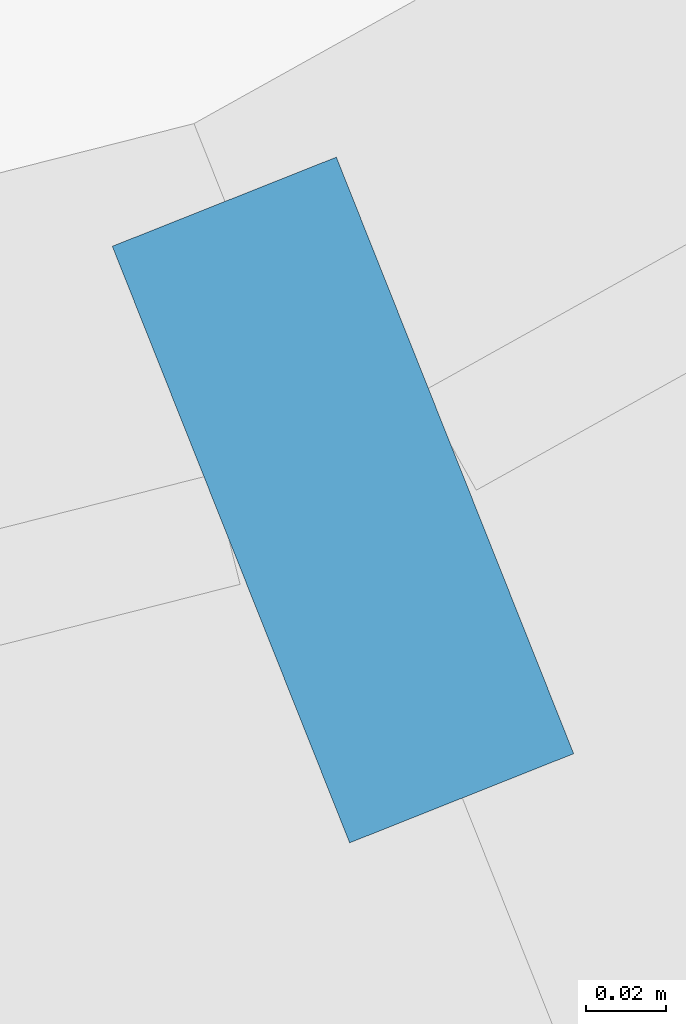
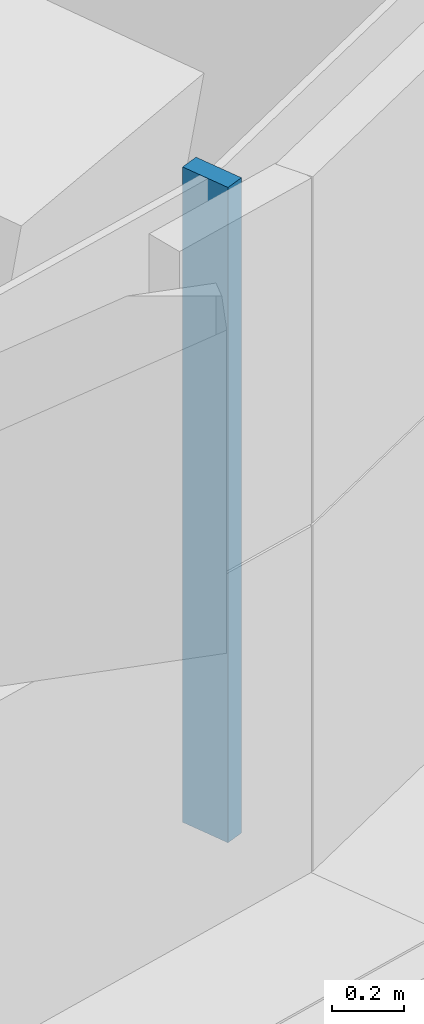
# One storey, part 2 of 34: 1 member, 1 element without a shape of its own.
"""IFC4 building model written with IfcOpenShell, lengths in metres."""

from ifc_helpers import new_model, si_unit, direction, frame, origin, origin_2d, place, context, subcontext, project, spatial, rectangle, extrude, material, layer, layer_set, material_profile, profile_set, type_object, element, aggregate, save


model = new_model("IFC4")

# Units and contexts
model_context = context("Model", 3, precision=1e-05, world=origin(), true_north=direction((0.0, 1.0)))
body_context = subcontext(model_context, "Body", "Model", "MODEL_VIEW")
ifc_project = project(units=[si_unit("LENGTHUNIT", "METRE"), si_unit("AREAUNIT", "SQUARE_METRE"), si_unit("VOLUMEUNIT", "CUBIC_METRE"), si_unit("PLANEANGLEUNIT", "RADIAN"), si_unit("MASSUNIT", "GRAM", prefix="KILO")], contexts=[model_context])

# Site, building, storey
site_placement = place(None, origin())
site = spatial("IfcSite", under=ifc_project, at=site_placement, CompositionType="ELEMENT")
building_placement = place(site_placement, origin())
building = spatial("IfcBuilding", under=site, at=building_placement, Name="Tamarind Cross Interchange Tower", CompositionType="ELEMENT")
storey_placement = place(building_placement, frame((0.0, 0.0, 140.5)))
storey = spatial("IfcBuildingStorey", under=building, at=storey_placement, Name="L34", CompositionType="ELEMENT", Elevation=140.5)

# Curtain wall, member
ifc_material = material(Name="Aluminium 6063-T6", Category="aluminium")
ifc_layer = layer(ifc_material, 0.159912109375)
ifc_layer_set = layer_set([ifc_layer], Name="Aluminium 6063-T6")
curtain_wall_type = type_object("IfcCurtainWallType", Name="Office curtain wall, 9.0 m bays", PredefinedType="NOTDEFINED", material=ifc_layer_set)
curtain_wall_placement = place(storey_placement, origin())
curtain_wall = element("IfcCurtainWall", 1, at=curtain_wall_placement, inside=storey, type_object=curtain_wall_type, Name="CWS-L34-01", PredefinedType="NOTDEFINED")
ifc_material_profile = material_profile(ifc_material, rectangle(XDim=0.06005859375, YDim=0.159912109375, at=origin_2d()), Name="Mullion CW1")
ifc_profile_set = profile_set([ifc_material_profile], Name="Aluminium 6063-T6")
member_type = type_object("IfcMemberType", Name="Mullion CW1", PredefinedType="MULLION", material=ifc_profile_set)
member_placement = place(storey_placement, frame((-40.944091796875, -18.4052734375, 1.39990234375), z_axis=(0.0, 0.0, 1.0), x_axis=(0.929157147262, 0.369684995222, 0.0)))
member = element("IfcMember", 2, at=member_placement, type_object=member_type, Name="CWM-L34-01-00", PredefinedType="MULLION", context=body_context, shape_type="SweptSolid", body=[
    extrude(rectangle(XDim=0.06005859375, YDim=0.159912109375, at=origin_2d()), origin(), (0.0, 0.0, 1.0), 2.210205078125),
])
aggregate(curtain_wall, [member])

save(model, "model.ifc")
